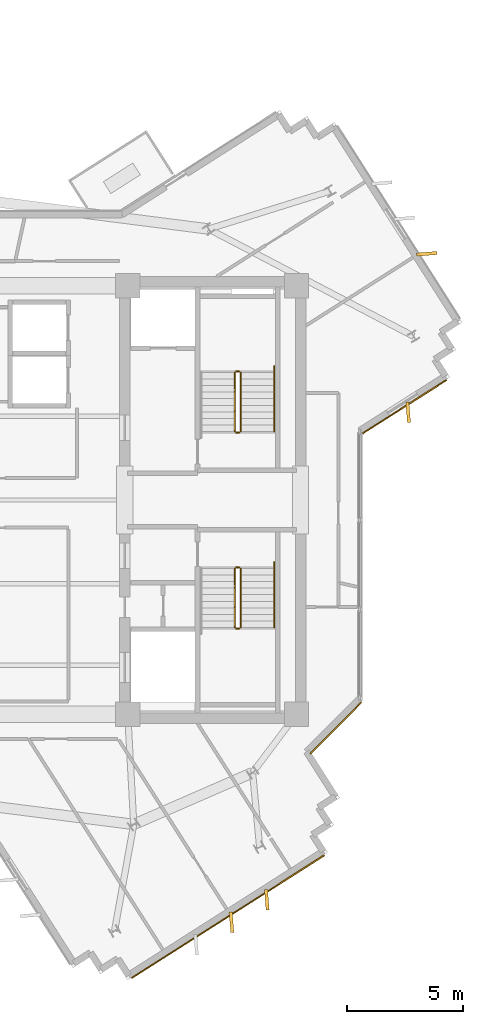
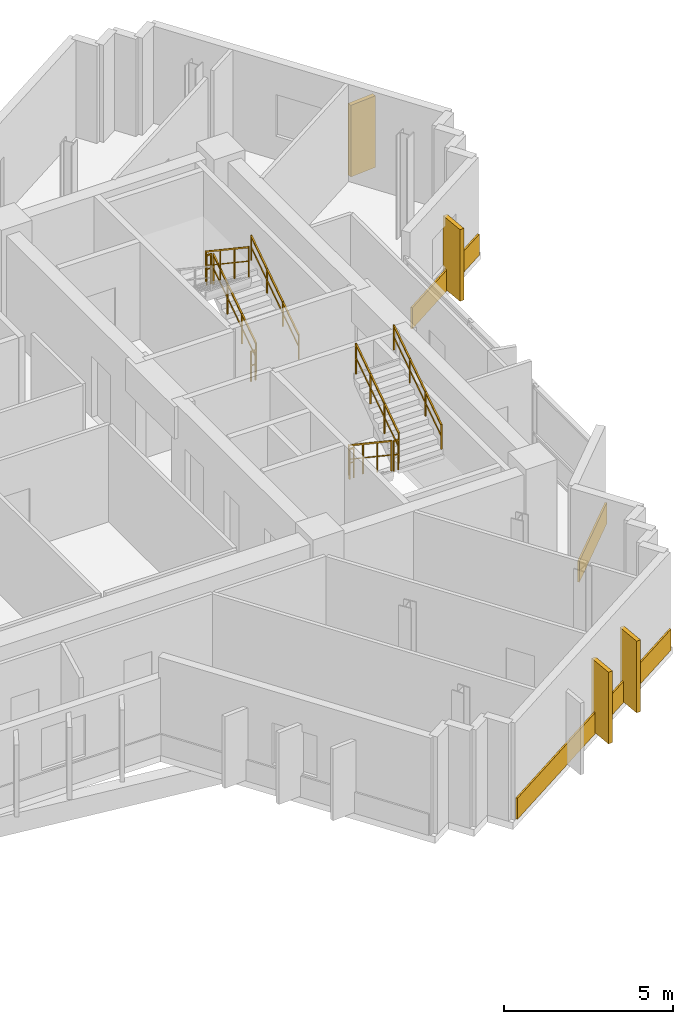
# One storey, part 11 of 12: 10 railings, 7 coverings.
"""IFC4 building model written with IfcOpenShell, lengths in metres."""

from ifc_helpers import new_model, si_unit, direction, frame, origin, origin_2d, place, context, subcontext, project, spatial, rectangle, extrude, source, transform, mapped, material, layer, layer_set, type_object, element, save


model = new_model("IFC4")

# Units and contexts
model_context = context("Model", 3, precision=1e-05, world=origin(), true_north=direction((0.0, 1.0)))
body_context = subcontext(model_context, "Body", "Model", "MODEL_VIEW")
ifc_project = project(units=[si_unit("LENGTHUNIT", "METRE"), si_unit("AREAUNIT", "SQUARE_METRE"), si_unit("VOLUMEUNIT", "CUBIC_METRE"), si_unit("PLANEANGLEUNIT", "RADIAN"), si_unit("MASSUNIT", "GRAM", prefix="KILO")], contexts=[model_context])

# Site, building, storey
site_placement = place(None, origin())
site = spatial("IfcSite", under=ifc_project, at=site_placement, CompositionType="ELEMENT")
building_placement = place(site_placement, origin())
building = spatial("IfcBuilding", under=site, at=building_placement, Name="Zahravan Cultural Tower", CompositionType="ELEMENT")
storey_placement = place(building_placement, frame((0.0, 0.0, 265.35009765625)))
storey = spatial("IfcBuildingStorey", under=building, at=storey_placement, Name="L63", CompositionType="ELEMENT", Elevation=265.35009765625)

# Railings
ifc_material_1 = material(Name="Steel ASTM A572 Grade 50", Category="steel")
railing_type_1 = type_object("IfcRailingType", Name="RL-STAIR-GRD1150", PredefinedType="BALUSTRADE", material=ifc_material_1)
railing_1_placement = place(storey_placement, frame((47.949951171875, 29.949951171875, 0.1875)))
element("IfcRailing", 1, at=railing_1_placement, inside=storey, type_object=railing_type_1, Name="L63 ST-E1 stair guard 1", PredefinedType="BALUSTRADE", context=body_context, shape_type="SweptSolid", body=[
    extrude(rectangle(XDim=0.05, YDim=0.05, at=origin_2d()), frame((0.0, 0.0, 1.0751953125), z_axis=(0.0, 0.830909170722, 0.55640807867), x_axis=(-1.0, 0.0, 0.0)), (0.0, 0.0, 1.0), 3.032958984375),
    extrude(rectangle(XDim=0.032, YDim=0.032, at=origin_2d()), frame((0.0, 0.0, 0.572021484375), z_axis=(0.0, 0.830909170722, 0.55640807867), x_axis=(-1.0, 0.0, 0.0)), (0.0, 0.0, 1.0), 3.032958984375),
    extrude(rectangle(XDim=0.04, YDim=0.04, at=origin_2d()), origin(), (0.0, 0.0, 1.0), 1.10009765625),
    extrude(rectangle(XDim=0.04, YDim=0.04, at=origin_2d()), frame((0.0, 0.840087890625, 0.5625)), (0.0, 0.0, 1.0), 1.10009765625),
    extrude(rectangle(XDim=0.04, YDim=0.04, at=origin_2d()), frame((0.0, 1.679931640625, 1.125)), (0.0, 0.0, 1.0), 1.10009765625),
    extrude(rectangle(XDim=0.04, YDim=0.04, at=origin_2d()), frame((0.0, 2.52001953125, 1.6875)), (0.0, 0.0, 1.0), 1.10009765625),
])
railing_2_placement = place(storey_placement, frame((47.89990234375, 32.52001953125, 1.875)))
element("IfcRailing", 2, at=railing_2_placement, inside=storey, type_object=railing_type_1, Name="L63 ST-E1 stair guard 2", PredefinedType="BALUSTRADE", context=body_context, shape_type="SweptSolid", body=[
    extrude(rectangle(XDim=0.05, YDim=0.05, at=origin_2d()), frame((0.0, 0.0, 1.0751953125), z_axis=(-1.0, 0.0, 0.0), x_axis=(0.0, -1.0, 0.0)), (0.0, 0.0, 1.0), 0.14990234375),
    extrude(rectangle(XDim=0.032, YDim=0.032, at=origin_2d()), frame((0.0, 0.0, 0.572021484375), z_axis=(-1.0, 0.0, 0.0), x_axis=(0.0, -1.0, 0.0)), (0.0, 0.0, 1.0), 0.14990234375),
    extrude(rectangle(XDim=0.04, YDim=0.04, at=origin_2d()), origin(), (0.0, 0.0, 1.0), 1.10009765625),
    extrude(rectangle(XDim=0.04, YDim=0.04, at=origin_2d()), frame((-0.14990234375, 0.0, 0.0)), (0.0, 0.0, 1.0), 1.10009765625),
])
railing_3_placement = place(storey_placement, frame((47.699951171875, 32.469970703125, 2.0625)))
element("IfcRailing", 3, at=railing_3_placement, inside=storey, type_object=railing_type_1, Name="L63 ST-E1 stair guard 3", PredefinedType="BALUSTRADE", context=body_context, shape_type="SweptSolid", body=[
    extrude(rectangle(XDim=0.05, YDim=0.05, at=origin_2d()), frame((0.0, 0.0, 1.0751953125), z_axis=(0.0, -0.830909170722, 0.55640807867), x_axis=(1.0, 0.0, 0.0)), (0.0, 0.0, 1.0), 3.032958984375),
    extrude(rectangle(XDim=0.032, YDim=0.032, at=origin_2d()), frame((0.0, 0.0, 0.572021484375), z_axis=(0.0, -0.830909170722, 0.55640807867), x_axis=(1.0, 0.0, 0.0)), (0.0, 0.0, 1.0), 3.032958984375),
    extrude(rectangle(XDim=0.04, YDim=0.04, at=origin_2d()), origin(), (0.0, 0.0, 1.0), 1.10009765625),
    extrude(rectangle(XDim=0.04, YDim=0.04, at=origin_2d()), frame((0.0, -0.840087890625, 0.5625)), (0.0, 0.0, 1.0), 1.10009765625),
    extrude(rectangle(XDim=0.04, YDim=0.04, at=origin_2d()), frame((0.0, -1.679931640625, 1.125)), (0.0, 0.0, 1.0), 1.10009765625),
    extrude(rectangle(XDim=0.04, YDim=0.04, at=origin_2d()), frame((0.0, -2.52001953125, 1.6875)), (0.0, 0.0, 1.0), 1.10009765625),
])
railing_4_placement = place(storey_placement, frame((47.89990234375, 29.89990234375, 0.0)))
element("IfcRailing", 4, at=railing_4_placement, inside=storey, type_object=railing_type_1, Name="L63 ST-E1 stair guard 4", PredefinedType="BALUSTRADE", context=body_context, shape_type="SweptSolid", body=[
    extrude(rectangle(XDim=0.05, YDim=0.05, at=origin_2d()), frame((0.0, 0.0, 1.0751953125), z_axis=(-1.0, 0.0, 0.0), x_axis=(0.0, -1.0, 0.0)), (0.0, 0.0, 1.0), 0.14990234375),
    extrude(rectangle(XDim=0.032, YDim=0.032, at=origin_2d()), frame((0.0, 0.0, 0.572021484375), z_axis=(-1.0, 0.0, 0.0), x_axis=(0.0, -1.0, 0.0)), (0.0, 0.0, 1.0), 0.14990234375),
    extrude(rectangle(XDim=0.04, YDim=0.04, at=origin_2d()), origin(), (0.0, 0.0, 1.0), 1.10009765625),
    extrude(rectangle(XDim=0.04, YDim=0.04, at=origin_2d()), frame((-0.14990234375, 0.0, 0.0)), (0.0, 0.0, 1.0), 1.10009765625),
])
railing_5_placement = place(storey_placement, frame((47.699951171875, 24.050048828125, 0.1875)))
element("IfcRailing", 5, at=railing_5_placement, inside=storey, type_object=railing_type_1, Name="L63 ST-E2 stair guard 1", PredefinedType="BALUSTRADE", context=body_context, shape_type="SweptSolid", body=[
    extrude(rectangle(XDim=0.05, YDim=0.05, at=origin_2d()), frame((0.0, 0.0, 1.0751953125), z_axis=(0.0, -0.830909170722, 0.55640807867), x_axis=(1.0, 0.0, 0.0)), (0.0, 0.0, 1.0), 3.032958984375),
    extrude(rectangle(XDim=0.032, YDim=0.032, at=origin_2d()), frame((0.0, 0.0, 0.572021484375), z_axis=(0.0, -0.830909170722, 0.55640807867), x_axis=(1.0, 0.0, 0.0)), (0.0, 0.0, 1.0), 3.032958984375),
    extrude(rectangle(XDim=0.04, YDim=0.04, at=origin_2d()), origin(), (0.0, 0.0, 1.0), 1.10009765625),
    extrude(rectangle(XDim=0.04, YDim=0.04, at=origin_2d()), frame((0.0, -0.840087890625, 0.5625)), (0.0, 0.0, 1.0), 1.10009765625),
    extrude(rectangle(XDim=0.04, YDim=0.04, at=origin_2d()), frame((0.0, -1.679931640625, 1.125)), (0.0, 0.0, 1.0), 1.10009765625),
    extrude(rectangle(XDim=0.04, YDim=0.04, at=origin_2d()), frame((0.0, -2.52001953125, 1.6875)), (0.0, 0.0, 1.0), 1.10009765625),
])
railing_6_placement = place(storey_placement, frame((47.75, 21.47998046875, 1.875)))
element("IfcRailing", 6, at=railing_6_placement, inside=storey, type_object=railing_type_1, Name="L63 ST-E2 stair guard 2", PredefinedType="BALUSTRADE", context=body_context, shape_type="SweptSolid", body=[
    extrude(rectangle(XDim=0.05, YDim=0.05, at=origin_2d()), frame((0.0, 0.0, 1.0751953125), z_axis=(1.0, 0.0, 0.0), x_axis=(0.0, 1.0, 0.0)), (0.0, 0.0, 1.0), 0.14990234375),
    extrude(rectangle(XDim=0.032, YDim=0.032, at=origin_2d()), frame((0.0, 0.0, 0.572021484375), z_axis=(1.0, 0.0, 0.0), x_axis=(0.0, 1.0, 0.0)), (0.0, 0.0, 1.0), 0.14990234375),
    extrude(rectangle(XDim=0.04, YDim=0.04, at=origin_2d()), origin(), (0.0, 0.0, 1.0), 1.10009765625),
    extrude(rectangle(XDim=0.04, YDim=0.04, at=origin_2d()), frame((0.14990234375, 0.0, 0.0)), (0.0, 0.0, 1.0), 1.10009765625),
])
railing_7_placement = place(storey_placement, frame((47.949951171875, 21.530029296875, 2.0625)))
element("IfcRailing", 7, at=railing_7_placement, inside=storey, type_object=railing_type_1, Name="L63 ST-E2 stair guard 3", PredefinedType="BALUSTRADE", context=body_context, shape_type="SweptSolid", body=[
    extrude(rectangle(XDim=0.05, YDim=0.05, at=origin_2d()), frame((0.0, 0.0, 1.0751953125), z_axis=(0.0, 0.830909170722, 0.55640807867), x_axis=(-1.0, 0.0, 0.0)), (0.0, 0.0, 1.0), 3.032958984375),
    extrude(rectangle(XDim=0.032, YDim=0.032, at=origin_2d()), frame((0.0, 0.0, 0.572021484375), z_axis=(0.0, 0.830909170722, 0.55640807867), x_axis=(-1.0, 0.0, 0.0)), (0.0, 0.0, 1.0), 3.032958984375),
    extrude(rectangle(XDim=0.04, YDim=0.04, at=origin_2d()), origin(), (0.0, 0.0, 1.0), 1.10009765625),
    extrude(rectangle(XDim=0.04, YDim=0.04, at=origin_2d()), frame((0.0, 0.840087890625, 0.5625)), (0.0, 0.0, 1.0), 1.10009765625),
    extrude(rectangle(XDim=0.04, YDim=0.04, at=origin_2d()), frame((0.0, 1.679931640625, 1.125)), (0.0, 0.0, 1.0), 1.10009765625),
    extrude(rectangle(XDim=0.04, YDim=0.04, at=origin_2d()), frame((0.0, 2.52001953125, 1.6875)), (0.0, 0.0, 1.0), 1.10009765625),
])
railing_8_placement = place(storey_placement, frame((47.75, 24.10009765625, 0.0)))
element("IfcRailing", 8, at=railing_8_placement, inside=storey, type_object=railing_type_1, Name="L63 ST-E2 stair guard 4", PredefinedType="BALUSTRADE", context=body_context, shape_type="SweptSolid", body=[
    extrude(rectangle(XDim=0.05, YDim=0.05, at=origin_2d()), frame((0.0, 0.0, 1.0751953125), z_axis=(1.0, 0.0, 0.0), x_axis=(0.0, 1.0, 0.0)), (0.0, 0.0, 1.0), 0.14990234375),
    extrude(rectangle(XDim=0.032, YDim=0.032, at=origin_2d()), frame((0.0, 0.0, 0.572021484375), z_axis=(1.0, 0.0, 0.0), x_axis=(0.0, 1.0, 0.0)), (0.0, 0.0, 1.0), 0.14990234375),
    extrude(rectangle(XDim=0.04, YDim=0.04, at=origin_2d()), origin(), (0.0, 0.0, 1.0), 1.10009765625),
    extrude(rectangle(XDim=0.04, YDim=0.04, at=origin_2d()), frame((0.14990234375, 0.0, 0.0)), (0.0, 0.0, 1.0), 1.10009765625),
])
railing_type_2 = type_object("IfcRailingType", Name="RL-STAIR-HR900", PredefinedType="HANDRAIL", material=ifc_material_1)
for number, where, name in (
    (9, (49.39990234375, 29.949951171875, 0.1875), "L63 ST-E1 stair handrail 1"),
    (10, (49.39990234375, 21.530029296875, 2.0625), "L63 ST-E2 stair handrail 2"),
):
    element("IfcRailing", number, at=place(storey_placement, frame(where)), inside=storey, type_object=railing_type_2, Name=name, PredefinedType="HANDRAIL", context=body_context, shape_type="SweptSolid", body=[
        extrude(rectangle(XDim=0.05, YDim=0.05, at=origin_2d()), frame((0.0, 0.0, 0.875), z_axis=(0.0, 0.830911662861, 0.55640435703), x_axis=(-1.0, 0.0, 0.0)), (0.0, 0.0, 1.0), 3.369873046875),
        extrude(rectangle(XDim=0.032, YDim=0.032, at=origin_2d()), frame((0.0, 0.0, 0.468017578125), z_axis=(0.0, 0.830911662861, 0.55640435703), x_axis=(-1.0, 0.0, 0.0)), (0.0, 0.0, 1.0), 3.369873046875),
        extrude(rectangle(XDim=0.04, YDim=0.04, at=origin_2d()), origin(), (0.0, 0.0, 1.0), 0.89990234375),
        extrude(rectangle(XDim=0.04, YDim=0.04, at=origin_2d()), frame((0.0, 0.933349609375, 0.625)), (0.0, 0.0, 1.0), 0.89990234375),
        extrude(rectangle(XDim=0.04, YDim=0.04, at=origin_2d()), frame((0.0, 1.86669921875, 1.25)), (0.0, 0.0, 1.0), 0.89990234375),
        extrude(rectangle(XDim=0.04, YDim=0.04, at=origin_2d()), frame((0.0, 2.800048828125, 1.875)), (0.0, 0.0, 1.0), 0.89990234375),
    ])

# Coverings
ifc_material_2 = material(Name="Terracotta ceramic cladding", Category="masonry")
ifc_layer = layer(ifc_material_2, 0.06005859375)
ifc_layer_set = layer_set([ifc_layer], Name="Terracotta ceramic cladding")
covering_type = type_object("IfcCoveringType", Name="COV-CLAD-TC60", PredefinedType="CLADDING", material=ifc_layer_set)
shared_shape_1 = source(origin(), body_context, "Body", "SweptSolid", [
    extrude(rectangle(XDim=9.81982421875, YDim=0.06005859375, at=origin_2d()), origin(), (0.0, 0.0, 1.0), 0.760009765625),
])
covering_1_placement = place(storey_placement, frame((47.404296875, 9.09912109375, 0.02001953125), z_axis=(0.0, 0.0, 1.0), x_axis=(-0.843391445813, -0.537299608347, 0.0)))
element("IfcCovering", 11, at=covering_1_placement, inside=storey, type_object=covering_type, Name="L63 Terracotta Spandrel Cladding 18", PredefinedType="CLADDING", context=body_context, shape_type="MappedRepresentation", body=[
    mapped(shared_shape_1, transform((0.0, 0.0, 0.0), x_axis=(1.0, 0.0, 0.0), y_axis=(0.0, 1.0, 0.0), z_axis=(0.0, 0.0, 1.0), scale=1.0)),
])
shared_shape_2 = source(origin(), body_context, "Body", "SweptSolid", [
    extrude(rectangle(XDim=0.8798828125, YDim=0.139892578125, at=origin_2d()), origin(), (0.0, 0.0, 1.0), 2.580078125),
])
for number, where, z_axis, x_axis, name in (
    (12, (55.951904296875, 37.576416015625, 0.0498046875), (0.0, 0.0, 1.0), (0.996917333733, 0.078459095728, 0.0), "L63 Herringbone Terracotta Fin 03"),
    (13, (55.146728515625, 30.767578125, 0.0498046875), (0.0, 0.0, 1.0), (0.078476495206, -0.996915964212, 0.0), "L63 Herringbone Terracotta Fin 04"),
    (14, (49.075439453125, 9.82568359375, 0.0498046875), (0.0, 0.0, 1.0), (0.078459095728, -0.996917333733, 0.0), "L63 Herringbone Terracotta Fin 05"),
    (15, (47.557373046875, 8.858642578125, 0.0498046875), (0.0, 0.0, 1.0), (0.078459095728, -0.996917333733, 0.0), "L63 Herringbone Terracotta Fin 06"),
):
    element("IfcCovering", number, at=place(storey_placement, frame(where, z_axis=z_axis, x_axis=x_axis)), inside=storey, type_object=covering_type, Name=name, PredefinedType="CLADDING", context=body_context, shape_type="MappedRepresentation", body=[
        mapped(shared_shape_2, transform((0.0, 0.0, 0.0), x_axis=(1.0, 0.0, 0.0), y_axis=(0.0, 1.0, 0.0), z_axis=(0.0, 0.0, 1.0), scale=1.0)),
    ])
shared_shape_3 = source(origin(), body_context, "Body", "SweptSolid", [
    extrude(rectangle(XDim=4.275146484375, YDim=0.06005859375, at=origin_2d()), origin(), (0.0, 0.0, 1.0), 0.760009765625),
])
covering_2_placement = place(storey_placement, frame((54.99365234375, 31.0078125, 0.02001953125), z_axis=(0.0, 0.0, 1.0), x_axis=(-0.843382068037, -0.537314328223, 0.0)))
element("IfcCovering", 16, at=covering_2_placement, inside=storey, type_object=covering_type, Name="L63 Terracotta Spandrel Cladding 11", PredefinedType="CLADDING", context=body_context, shape_type="MappedRepresentation", body=[
    mapped(shared_shape_3, transform((0.0, 0.0, 0.0), x_axis=(1.0, 0.0, 0.0), y_axis=(0.0, 1.0, 0.0), z_axis=(0.0, 0.0, 1.0), scale=1.0)),
])
shared_shape_4 = source(origin(), body_context, "Body", "SweptSolid", [
    extrude(rectangle(XDim=3.114990234375, YDim=0.06005859375, at=origin_2d()), origin(), (0.0, 0.0, 1.0), 0.760009765625),
])
covering_3_placement = place(storey_placement, frame((52.0400390625, 17.20458984375, 0.02001953125), z_axis=(0.0, 0.0, 1.0), x_axis=(-0.707094439737, -0.70711912242, 0.0)))
element("IfcCovering", 17, at=covering_3_placement, inside=storey, type_object=covering_type, Name="L63 Terracotta Spandrel Cladding 12", PredefinedType="CLADDING", context=body_context, shape_type="MappedRepresentation", body=[
    mapped(shared_shape_4, transform((0.0, 0.0, 0.0), x_axis=(1.0, 0.0, 0.0), y_axis=(0.0, 1.0, 0.0), z_axis=(0.0, 0.0, 1.0), scale=1.0)),
])

save(model, "model.ifc")
